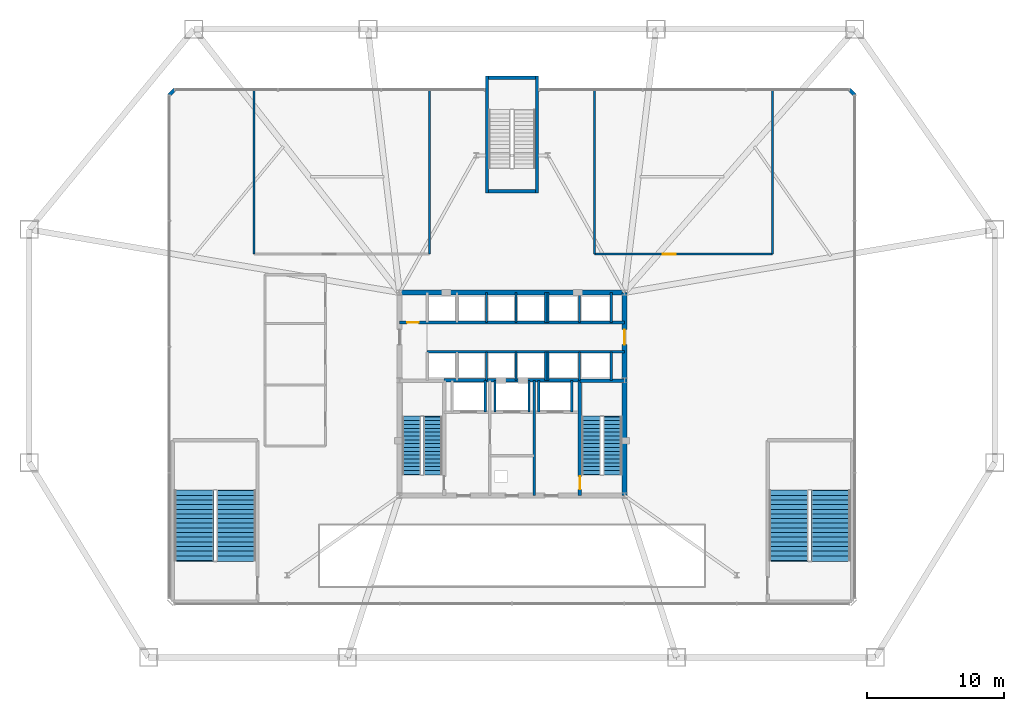
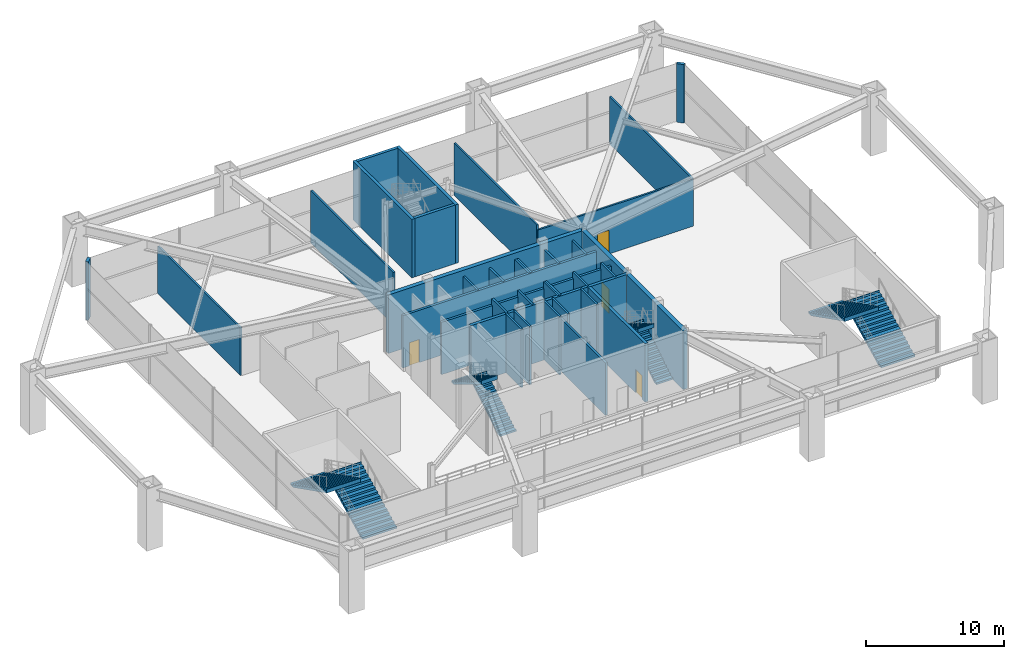
# One storey, part 15 of 18: 36 walls, 8 stair flights, 4 doors, 4 openings, 4 elements without a shape of their own.
"""IFC4 building model written with IfcOpenShell, lengths in metres."""

from ifc_helpers import new_model, si_unit, direction, frame, frame_2d, origin, place, context, subcontext, project, spatial, polyline, rectangle, outline, extrude, material, layer, layer_set, type_object, element, fill, aggregate, save


model = new_model("IFC4")

# Units and contexts
model_context = context("Model", 3, precision=1e-05, world=origin(), true_north=direction((0.0, 1.0)))
body_context = subcontext(model_context, "Body", "Model", "MODEL_VIEW")
ifc_project = project(units=[si_unit("LENGTHUNIT", "METRE"), si_unit("AREAUNIT", "SQUARE_METRE"), si_unit("VOLUMEUNIT", "CUBIC_METRE"), si_unit("PLANEANGLEUNIT", "RADIAN"), si_unit("MASSUNIT", "GRAM", prefix="KILO")], contexts=[model_context])

# Site, building, storey
site_placement = place(None, origin())
site = spatial("IfcSite", under=ifc_project, at=site_placement, CompositionType="ELEMENT")
building_placement = place(site_placement, origin())
building = spatial("IfcBuilding", under=site, at=building_placement, Name="Varakhsha Concourse Tower", CompositionType="ELEMENT")
storey_placement = place(building_placement, frame((0.0, 0.0, 5.5)))
storey = spatial("IfcBuildingStorey", under=building, at=storey_placement, Name="L02", CompositionType="ELEMENT", Elevation=5.5)

# Wall
ifc_material_1 = material(Name="Concrete fc 65 MPa", Category="concrete")
ifc_layer_1 = layer(ifc_material_1, 0.35009765625, Name="WL-CORE-350")
ifc_layer_set_1 = layer_set([ifc_layer_1], Name="Concrete fc 65 MPa")
wall_type_1 = type_object("IfcWallType", Name="WL-CORE-350", PredefinedType="SHEAR", material=ifc_layer_set_1)
wall_1_placement = place(storey_placement, frame((31.800048828125, 31.199951171875, 0.0), z_axis=(0.0, 0.0, 1.0), x_axis=(1.0, 0.0, 0.0)))
element("IfcWall", 1, at=wall_1_placement, inside=storey, type_object=wall_type_1, Name="L02 Wall CWALL-N-L02", PredefinedType="SHEAR", context=body_context, shape_type="SweptSolid", body=[
    extrude(rectangle(XDim=16.39990234375, YDim=0.35009765625, at=frame_2d((8.199951171875, 0.0))), origin(), (0.0, 0.0, 1.0), 5.179931640625),
])

# Wall, opening, door
wall_2_placement = place(storey_placement, frame((48.199951171875, 16.39990234375, 0.0), z_axis=(0.0, 0.0, 1.0), x_axis=(0.0, 1.0, 0.0)))
wall_2 = element("IfcWall", 2, at=wall_2_placement, inside=storey, type_object=wall_type_1, Name="L02 Wall CWALL-E-L02", PredefinedType="SHEAR", context=body_context, shape_type="SweptSolid", body=[
    extrude(rectangle(XDim=14.800048828125, YDim=0.35009765625, at=frame_2d((7.39990234375, 0.0))), origin(), (0.0, 0.0, 1.0), 5.179931640625),
])
opening_1_placement = place(wall_2_placement, frame((11.0, 0.0, 0.0)))
opening_1 = element("IfcOpeningElement", 3, at=opening_1_placement, cuts=wall_2, Name="Opening DL-01", PredefinedType="OPENING", context=body_context, shape_type="SweptSolid", body=[
    extrude(rectangle(XDim=1.10009765625, YDim=2.14990234375, at=frame_2d((0.550048828125, 1.074951171875))), frame((0.0, 0.18505859375, 0.0), z_axis=(0.0, -1.0, 0.0), x_axis=(1.0, 0.0, 0.0)), (0.0, 0.0, 1.0), 0.3701171875),
])
ifc_material_2 = material(Name="Anodised Bronze Architectural Aluminium AA 6063-T6", Category="aluminium")
door_type_1 = type_object("IfcDoorType", Name="DR-LOB-1100", OperationType="NOTDEFINED", PredefinedType="DOOR", material=ifc_material_2)
door_1_placement = place(opening_1_placement, origin())
door_1 = element("IfcDoor", 4, at=door_1_placement, inside=storey, type_object=door_type_1, Name="L02 Lift Lobby East Concourse Door", OperationType="SINGLE_SWING_RIGHT", OverallHeight=2.14990234375, OverallWidth=1.10009765625, PredefinedType="DOOR", context=body_context, shape_type="SweptSolid", body=[
    extrude(rectangle(XDim=1.10009765625, YDim=2.14990234375, at=frame_2d((0.550048828125, 1.074951171875))), frame((0.0, 0.02490234375, 0.0), z_axis=(0.0, -1.0, 0.0), x_axis=(1.0, 0.0, 0.0)), (0.0, 0.0, 1.0), 0.050048828125),
])
fill(opening_1, door_1)

# Walls
ifc_material_3 = material(Name="Concrete fc 45 MPa", Category="concrete")
ifc_layer_2 = layer(ifc_material_3, 0.300048828125, Name="WL-EXT-POD-300")
ifc_layer_set_2 = layer_set([ifc_layer_2], Name="Concrete fc 45 MPa")
wall_type_2 = type_object("IfcWallType", Name="WL-EXT-POD-300", PredefinedType="STANDARD", material=ifc_layer_set_2)
for number, where, z_axis, x_axis, name in (
    (5, (65.0, 45.60009765625, 0.0), (0.0, 0.0, 1.0), (-0.707106781187, 0.707106781187, 0.0), "L02 Mezzanine Corner Pier 4"),
    (6, (15.39990234375, 46.0, 0.0), (0.0, 0.0, 1.0), (-0.707106781187, -0.707106781187, 0.0), "L02 Mezzanine Corner Pier 6"),
):
    element("IfcWall", number, at=place(storey_placement, frame(where, z_axis=z_axis, x_axis=x_axis)), inside=storey, type_object=wall_type_2, Name=name, PredefinedType="STANDARD", context=body_context, shape_type="SweptSolid", body=[
        extrude(rectangle(XDim=0.5654296875, YDim=0.239990234375, at=frame_2d((0.28271484375, 0.0))), origin(), (0.0, 0.0, 1.0), 5.179931640625),
    ])
ifc_material_4 = material(Name="Fire-Rated Type X Gypsum Partition Assembly", Category="gypsum")
ifc_layer_3 = layer(ifc_material_4, 0.179931640625, Name="WL-FFLOB-180")
ifc_layer_set_3 = layer_set([ifc_layer_3], Name="Fire-Rated Type X Gypsum Partition Assembly")
wall_type_3 = type_object("IfcWallType", Name="WL-FFLOB-180", PredefinedType="PARTITIONING", material=ifc_layer_set_3)
wall_3_placement = place(storey_placement, frame((41.610107421875, 16.39990234375, 0.0), z_axis=(0.0, 0.0, 1.0), x_axis=(0.0, 1.0, 0.0)))
element("IfcWall", 7, at=wall_3_placement, inside=storey, type_object=wall_type_3, Name="L02 Wall FFW-2W-L02", PredefinedType="PARTITIONING", context=body_context, shape_type="SweptSolid", body=[
    extrude(rectangle(XDim=8.400146484375, YDim=0.179931640625, at=frame_2d((4.2001953125, 0.0))), origin(), (0.0, 0.0, 1.0), 4.631103515625),
])
ifc_layer_4 = layer(ifc_material_4, 0.14990234375, Name="WL-PART-150")
ifc_layer_set_4 = layer_set([ifc_layer_4], Name="Fire-Rated Type X Gypsum Partition Assembly")
wall_type_4 = type_object("IfcWallType", Name="WL-PART-150", PredefinedType="PARTITIONING", material=ifc_layer_set_4)
wall_4_placement = place(storey_placement, frame((21.199951171875, 34.0, 0.0), z_axis=(0.0, 0.0, 1.0), x_axis=(0.0, 1.0, 0.0)))
element("IfcWall", 8, at=wall_4_placement, inside=storey, type_object=wall_type_4, Name="L02 Wall L02W-M1W", PredefinedType="PARTITIONING", context=body_context, shape_type="SweptSolid", body=[
    extrude(rectangle(XDim=11.9599609375, YDim=0.14990234375, at=frame_2d((5.97998046875, 0.0))), origin(), (0.0, 0.0, 1.0), 4.195068359375),
])
wall_5_placement = place(storey_placement, frame((34.0, 34.0, 0.0), z_axis=(0.0, 0.0, 1.0), x_axis=(0.0, 1.0, 0.0)))
element("IfcWall", 9, at=wall_5_placement, inside=storey, type_object=wall_type_4, Name="L02 Wall L02W-M1E", PredefinedType="PARTITIONING", context=body_context, shape_type="SweptSolid", body=[
    extrude(rectangle(XDim=11.9599609375, YDim=0.14990234375, at=frame_2d((5.97998046875, 0.0))), origin(), (0.0, 0.0, 1.0), 4.631103515625),
])

# Wall, opening, door
wall_6_placement = place(storey_placement, frame((46.0, 34.0, 0.0), z_axis=(0.0, 0.0, 1.0), x_axis=(1.0, 0.0, 0.0)))
wall_6 = element("IfcWall", 10, at=wall_6_placement, inside=storey, type_object=wall_type_4, Name="L02 Wall L02W-M2S", PredefinedType="PARTITIONING", context=body_context, shape_type="SweptSolid", body=[
    extrude(rectangle(XDim=13.0, YDim=0.14990234375, at=frame_2d((6.5, 0.0))), origin(), (0.0, 0.0, 1.0), 4.195068359375),
])
opening_2_placement = place(wall_6_placement, frame((5.0, 0.0, 0.0)))
opening_2 = element("IfcOpeningElement", 11, at=opening_2_placement, cuts=wall_6, Name="Opening DF-05", PredefinedType="OPENING", context=body_context, shape_type="SweptSolid", body=[
    extrude(rectangle(XDim=0.949951171875, YDim=2.10009765625, at=frame_2d((0.47509765625, 1.050048828125))), frame((0.0, 0.0849609375, 0.0), z_axis=(0.0, -1.0, 0.0), x_axis=(1.0, 0.0, 0.0)), (0.0, 0.0, 1.0), 0.169921875),
])
ifc_material_5 = material(Name="Hollow Galvanised Steel Fire Door Assembly", Category="steel")
door_type_2 = type_object("IfcDoorType", Name="DR-FD60-950", OperationType="NOTDEFINED", PredefinedType="DOOR", material=ifc_material_5)
door_2_placement = place(opening_2_placement, origin())
door_2 = element("IfcDoor", 12, at=door_2_placement, inside=storey, type_object=door_type_2, Name="L02 Front Range Press Briefing Room Door", OperationType="SINGLE_SWING_LEFT", OverallHeight=2.10009765625, OverallWidth=0.949951171875, PredefinedType="DOOR", context=body_context, shape_type="SweptSolid", body=[
    extrude(rectangle(XDim=0.949951171875, YDim=2.10009765625, at=frame_2d((0.47509765625, 1.050048828125))), frame((0.0, 0.02490234375, 0.0), z_axis=(0.0, -1.0, 0.0), x_axis=(1.0, 0.0, 0.0)), (0.0, 0.0, 1.0), 0.050048828125),
])
fill(opening_2, door_2)

# Walls
wall_7_placement = place(storey_placement, frame((46.0, 34.0, 0.0), z_axis=(0.0, 0.0, 1.0), x_axis=(0.0, 1.0, 0.0)))
element("IfcWall", 13, at=wall_7_placement, inside=storey, type_object=wall_type_4, Name="L02 Wall L02W-M2W", PredefinedType="PARTITIONING", context=body_context, shape_type="SweptSolid", body=[
    extrude(rectangle(XDim=11.9599609375, YDim=0.14990234375, at=frame_2d((5.97998046875, 0.0))), origin(), (0.0, 0.0, 1.0), 4.631103515625),
])
wall_8_placement = place(storey_placement, frame((59.0, 34.0, 0.0), z_axis=(0.0, 0.0, 1.0), x_axis=(0.0, 1.0, 0.0)))
element("IfcWall", 14, at=wall_8_placement, inside=storey, type_object=wall_type_4, Name="L02 Wall L02W-M2E", PredefinedType="PARTITIONING", context=body_context, shape_type="SweptSolid", body=[
    extrude(rectangle(XDim=11.9599609375, YDim=0.14990234375, at=frame_2d((5.97998046875, 0.0))), origin(), (0.0, 0.0, 1.0), 4.195068359375),
])
ifc_layer_5 = layer(ifc_material_4, 0.199951171875, Name="WL-SHAFT-220")
ifc_layer_set_5 = layer_set([ifc_layer_5], Name="Fire-Rated Type X Gypsum Partition Assembly")
wall_type_5 = type_object("IfcWallType", Name="WL-SHAFT-220", PredefinedType="SOLIDWALL", material=ifc_layer_set_5)
for number, where, z_axis, x_axis, name in (
    (15, (38.050048828125, 22.47998046875, 0.0), (0.0, 0.0, 1.0), (0.0, 1.0, 0.0), "L02 Wall SHW-FFL-1-E-L02"),
    (16, (41.949951171875, 22.47998046875, 0.0), (0.0, 0.0, 1.0), (0.0, 1.0, 0.0), "L02 Wall SHW-FFL-2-W-L02"),
    (17, (44.35009765625, 22.47998046875, 0.0), (0.0, 0.0, 1.0), (0.0, 1.0, 0.0), "L02 Wall SHW-FFL-2-E-L02"),
    (18, (38.75, 22.47998046875, 0.0), (0.0, 0.0, 1.0), (0.0, 1.0, 0.0), "L02 Wall SHW-SVL-1-W-L02"),
    (19, (41.25, 22.47998046875, 0.0), (0.0, 0.0, 1.0), (0.0, 1.0, 0.0), "L02 Wall SHW-SVL-1-E-L02"),
):
    element("IfcWall", number, at=place(storey_placement, frame(where, z_axis=z_axis, x_axis=x_axis)), inside=storey, type_object=wall_type_5, Name=name, PredefinedType="SOLIDWALL", context=body_context, shape_type="SweptSolid", body=[
        extrude(rectangle(XDim=2.320068359375, YDim=0.159912109375, at=frame_2d((1.16015625, 0.0))), origin(), (0.0, 0.0, 1.0), 5.179931640625),
    ])

# Wall, opening, door
wall_9_placement = place(storey_placement, frame((31.800048828125, 29.02001953125, 0.0), z_axis=(0.0, 0.0, 1.0), x_axis=(1.0, 0.0, 0.0)))
wall_9 = element("IfcWall", 20, at=wall_9_placement, inside=storey, type_object=wall_type_5, Name="L02 Wall PLW-N-L02", PredefinedType="SOLIDWALL", context=body_context, shape_type="SweptSolid", body=[
    extrude(rectangle(XDim=16.39990234375, YDim=0.199951171875, at=frame_2d((8.199951171875, 0.0))), origin(), (0.0, 0.0, 1.0), 4.631103515625),
])
opening_3_placement = place(wall_9_placement, frame((0.550048828125, 0.0, 0.0)))
opening_3 = element("IfcOpeningElement", 21, at=opening_3_placement, cuts=wall_9, Name="Opening DF-07", PredefinedType="OPENING", context=body_context, shape_type="SweptSolid", body=[
    extrude(rectangle(XDim=0.85009765625, YDim=2.050048828125, at=frame_2d((0.425048828125, 1.02490234375))), frame((0.0, 0.10986328125, 0.0), z_axis=(0.0, -1.0, 0.0), x_axis=(1.0, 0.0, 0.0)), (0.0, 0.0, 1.0), 0.219970703125),
])
door_type_3 = type_object("IfcDoorType", Name="DR-FD60-850", OperationType="NOTDEFINED", PredefinedType="DOOR", material=ifc_material_5)
door_3_placement = place(opening_3_placement, origin())
door_3 = element("IfcDoor", 22, at=door_3_placement, inside=storey, type_object=door_type_3, Name="L02 Core Janitor Closet Door", OperationType="SINGLE_SWING_LEFT", OverallHeight=2.050048828125, OverallWidth=0.85009765625, PredefinedType="DOOR", context=body_context, shape_type="SweptSolid", body=[
    extrude(rectangle(XDim=0.85009765625, YDim=2.050048828125, at=frame_2d((0.425048828125, 1.02490234375))), frame((0.0, 0.02490234375, 0.0), z_axis=(0.0, -1.0, 0.0), x_axis=(1.0, 0.0, 0.0)), (0.0, 0.0, 1.0), 0.050048828125),
])
fill(opening_3, door_3)

# Walls
wall_10_placement = place(storey_placement, frame((33.820068359375, 26.8798828125, 0.0), z_axis=(0.0, 0.0, 1.0), x_axis=(1.0, 0.0, 0.0)))
element("IfcWall", 23, at=wall_10_placement, inside=storey, type_object=wall_type_5, Name="L02 Wall PLW-S-L02", PredefinedType="SOLIDWALL", context=body_context, shape_type="SweptSolid", body=[
    extrude(rectangle(XDim=14.3798828125, YDim=0.199951171875, at=frame_2d((7.18994140625, 0.0))), origin(), (0.0, 0.0, 1.0), 4.631103515625),
])
for number, where, z_axis, x_axis, name in (
    (24, (38.139892578125, 29.02001953125, 0.0), (0.0, 0.0, 1.0), (0.0, 1.0, 0.0), "L02 Wall SHW-LF-P02-E-L02"),
    (25, (40.300048828125, 29.02001953125, 0.0), (0.0, 0.0, 1.0), (0.0, 1.0, 0.0), "L02 Wall SHW-LF-P03-E-L02"),
    (26, (42.4599609375, 29.02001953125, 0.0), (0.0, 0.0, 1.0), (0.0, 1.0, 0.0), "L02 Wall SHW-LF-P04-E-L02"),
):
    element("IfcWall", number, at=place(storey_placement, frame(where, z_axis=z_axis, x_axis=x_axis)), inside=storey, type_object=wall_type_5, Name=name, PredefinedType="SOLIDWALL", context=body_context, shape_type="SweptSolid", body=[
        extrude(rectangle(XDim=2.179931640625, YDim=0.159912109375, at=frame_2d((1.08984375, 0.0))), origin(), (0.0, 0.0, 1.0), 4.631103515625),
    ])
for number, where, z_axis, x_axis, name in (
    (27, (38.139892578125, 24.800048828125, 0.0), (0.0, 0.0, 1.0), (0.0, 1.0, 0.0), "L02 Wall SHW-LF-P06-E-L02"),
    (28, (40.300048828125, 24.800048828125, 0.0), (0.0, 0.0, 1.0), (0.0, 1.0, 0.0), "L02 Wall SHW-LF-P07-E-L02"),
    (29, (42.4599609375, 24.800048828125, 0.0), (0.0, 0.0, 1.0), (0.0, 1.0, 0.0), "L02 Wall SHW-LF-P08-E-L02"),
):
    element("IfcWall", number, at=place(storey_placement, frame(where, z_axis=z_axis, x_axis=x_axis)), inside=storey, type_object=wall_type_5, Name=name, PredefinedType="SOLIDWALL", context=body_context, shape_type="SweptSolid", body=[
        extrude(rectangle(XDim=2.079833984375, YDim=0.159912109375, at=frame_2d((1.0400390625, 0.0))), origin(), (0.0, 0.0, 1.0), 5.179931640625),
    ])
for number, where, z_axis, x_axis, name in (
    (30, (42.60009765625, 29.02001953125, 0.0), (0.0, 0.0, 1.0), (0.0, 1.0, 0.0), "L02 Wall SHW-LF-P09-W-L02"),
    (31, (44.919921875, 29.02001953125, 0.0), (0.0, 0.0, 1.0), (0.0, 1.0, 0.0), "L02 Wall SHW-LF-P09-E-L02"),
    (32, (47.239990234375, 29.02001953125, 0.0), (0.0, 0.0, 1.0), (0.0, 1.0, 0.0), "L02 Wall SHW-LF-P10-E-L02"),
):
    element("IfcWall", number, at=place(storey_placement, frame(where, z_axis=z_axis, x_axis=x_axis)), inside=storey, type_object=wall_type_5, Name=name, PredefinedType="SOLIDWALL", context=body_context, shape_type="SweptSolid", body=[
        extrude(rectangle(XDim=2.179931640625, YDim=0.159912109375, at=frame_2d((1.08984375, 0.0))), origin(), (0.0, 0.0, 1.0), 4.631103515625),
    ])
for number, where, z_axis, x_axis, name in (
    (33, (42.60009765625, 24.800048828125, 0.0), (0.0, 0.0, 1.0), (0.0, 1.0, 0.0), "L02 Wall SHW-LF-P11-W-L02"),
    (34, (44.919921875, 24.800048828125, 0.0), (0.0, 0.0, 1.0), (0.0, 1.0, 0.0), "L02 Wall SHW-LF-P11-E-L02"),
    (35, (47.239990234375, 24.800048828125, 0.0), (0.0, 0.0, 1.0), (0.0, 1.0, 0.0), "L02 Wall SHW-LF-P12-E-L02"),
):
    element("IfcWall", number, at=place(storey_placement, frame(where, z_axis=z_axis, x_axis=x_axis)), inside=storey, type_object=wall_type_5, Name=name, PredefinedType="SOLIDWALL", context=body_context, shape_type="SweptSolid", body=[
        extrude(rectangle(XDim=2.079833984375, YDim=0.159912109375, at=frame_2d((1.0400390625, 0.0))), origin(), (0.0, 0.0, 1.0), 5.179931640625),
    ])

# Wall, opening, door
ifc_layer_6 = layer(ifc_material_3, 0.25, Name="WL-STAIR-250")
ifc_layer_set_6 = layer_set([ifc_layer_6], Name="Concrete fc 45 MPa")
wall_type_6 = type_object("IfcWallType", Name="WL-STAIR-250", PredefinedType="SHEAR", material=ifc_layer_set_6)
wall_11_placement = place(storey_placement, frame((44.955078125, 16.39990234375, 0.0), z_axis=(0.0, 0.0, 1.0), x_axis=(0.0, 1.0, 0.0)))
wall_11 = element("IfcWall", 36, at=wall_11_placement, inside=storey, type_object=wall_type_6, Name="L02 Wall SWALL-ST2-W-L02", PredefinedType="SHEAR", context=body_context, shape_type="SweptSolid", body=[
    extrude(rectangle(XDim=8.400146484375, YDim=0.25, at=frame_2d((4.2001953125, 0.0))), origin(), (0.0, 0.0, 1.0), 5.179931640625),
])
opening_4_placement = place(wall_11_placement, frame((0.449951171875, 0.0, 0.0)))
opening_4 = element("IfcOpeningElement", 37, at=opening_4_placement, cuts=wall_11, Name="Opening DF-03", PredefinedType="OPENING", context=body_context, shape_type="SweptSolid", body=[
    extrude(rectangle(XDim=0.949951171875, YDim=2.10009765625, at=frame_2d((0.47509765625, 1.050048828125))), frame((0.0, 0.135009765625, 0.0), z_axis=(0.0, -1.0, 0.0), x_axis=(1.0, 0.0, 0.0)), (0.0, 0.0, 1.0), 0.27001953125),
])
door_type_4 = type_object("IfcDoorType", Name="DR-FD90-950", OperationType="NOTDEFINED", PredefinedType="DOOR", material=ifc_material_5)
door_4_placement = place(opening_4_placement, origin())
door_4 = element("IfcDoor", 38, at=door_4_placement, inside=storey, type_object=door_type_4, Name="L02 Stair ST2 Fire Door", OperationType="SINGLE_SWING_RIGHT", OverallHeight=2.10009765625, OverallWidth=0.949951171875, PredefinedType="DOOR", context=body_context, shape_type="SweptSolid", body=[
    extrude(rectangle(XDim=0.949951171875, YDim=2.10009765625, at=frame_2d((0.47509765625, 1.050048828125))), frame((0.0, 0.02490234375, 0.0), z_axis=(0.0, -1.0, 0.0), x_axis=(1.0, 0.0, 0.0)), (0.0, 0.0, 1.0), 0.050048828125),
])
fill(opening_4, door_4)

# Walls
wall_12_placement = place(storey_placement, frame((44.955078125, 24.7548828125, 0.0), z_axis=(0.0, 0.0, 1.0), x_axis=(1.0, 0.0, 0.0)))
element("IfcWall", 39, at=wall_12_placement, inside=storey, type_object=wall_type_6, Name="L02 Wall SWALL-ST2-N-L02", PredefinedType="SHEAR", context=body_context, shape_type="SweptSolid", body=[
    extrude(rectangle(XDim=3.244873046875, YDim=0.25, at=frame_2d((1.62255859375, 0.0))), origin(), (0.0, 0.0, 1.0), 5.179931640625),
])
wall_13_placement = place(storey_placement, frame((35.044921875, 24.800048828125, 0.0), z_axis=(0.0, 0.0, 1.0), x_axis=(1.0, 0.0, 0.0)))
element("IfcWall", 40, at=wall_13_placement, inside=storey, type_object=wall_type_6, Name="L02 Wall SWALL-MID-H-L02", PredefinedType="SHEAR", context=body_context, shape_type="SweptSolid", body=[
    extrude(rectangle(XDim=9.91015625, YDim=0.25, at=frame_2d((4.955078125, 0.0))), origin(), (0.0, 0.0, 1.0), 5.179931640625),
])
for number, where, z_axis, x_axis, name in (
    (41, (38.175048828125, 38.449951171875, 0.0), (0.0, 0.0, 1.0), (0.0, 1.0, 0.0), "L02 Wall SWALL-ST5-W-L02"),
    (42, (41.824951171875, 38.449951171875, 0.0), (0.0, 0.0, 1.0), (0.0, 1.0, 0.0), "L02 Wall SWALL-ST5-E-L02"),
):
    element("IfcWall", number, at=place(storey_placement, frame(where, z_axis=z_axis, x_axis=x_axis)), inside=storey, type_object=wall_type_6, Name=name, PredefinedType="SHEAR", context=body_context, shape_type="SweptSolid", body=[
        extrude(rectangle(XDim=8.550048828125, YDim=0.25, at=frame_2d((4.27490234375, 0.0))), origin(), (0.0, 0.0, 1.0), 5.179931640625),
    ])
for number, where, z_axis, x_axis, name in (
    (43, (38.300048828125, 38.574951171875, 0.0), (0.0, 0.0, 1.0), (1.0, 0.0, 0.0), "L02 Wall SWALL-ST5-S-L02"),
    (44, (38.300048828125, 46.875, 0.0), (0.0, 0.0, 1.0), (1.0, 0.0, 0.0), "L02 Wall SWALL-ST5-N-L02"),
):
    element("IfcWall", number, at=place(storey_placement, frame(where, z_axis=z_axis, x_axis=x_axis)), inside=storey, type_object=wall_type_6, Name=name, PredefinedType="SHEAR", context=body_context, shape_type="SweptSolid", body=[
        extrude(rectangle(XDim=3.39990234375, YDim=0.25, at=frame_2d((1.699951171875, 0.0))), origin(), (0.0, 0.0, 1.0), 5.179931640625),
    ])

# Stair, stair flights
stair_type_1 = type_object("IfcStairType", Name="ST-DOGLEG-1360", PredefinedType="HALF_TURN_STAIR", material=ifc_material_3)
stair_1_placement = place(storey_placement, origin())
stair_1 = element("IfcStair", 45, at=stair_1_placement, inside=storey, type_object=stair_type_1, Name="L02 Protected Exit Stair ST1", PredefinedType="HALF_TURN_STAIR")
stair_flight_type_1 = type_object("IfcStairFlightType", Name="STF-1360-R1719", PredefinedType="STRAIGHT", material=ifc_material_3)
stair_flight_1_placement = place(storey_placement, frame((34.239990234375, 17.93994140625, 0.0), z_axis=(0.0, 0.0, 1.0), x_axis=(0.0, 1.0, 0.0)))
stair_flight_1 = element("IfcStairFlight", 46, at=stair_flight_1_placement, type_object=stair_flight_type_1, Name="ST1 flight 1", NumberOfRisers=16, NumberOfTreads=15, PredefinedType="STRAIGHT", RiserHeight=0.171875, TreadLength=0.28, context=body_context, shape_type="SweptSolid", body=[
    extrude(outline(polyline([(-0.06005859375, 0.0), (-0.06005859375, 0.171875), (0.0, 0.171875), (0.280029296875, 0.171875), (0.280029296875, 0.34375), (0.56005859375, 0.34375), (0.56005859375, 0.515625), (0.840087890625, 0.515625), (0.840087890625, 0.6875), (1.1201171875, 0.6875), (1.1201171875, 0.859375), (1.39990234375, 0.859375), (1.39990234375, 1.03125), (1.679931640625, 1.03125), (1.679931640625, 1.203125), (1.9599609375, 1.203125), (1.9599609375, 1.375), (2.239990234375, 1.375), (2.239990234375, 1.546875), (2.52001953125, 1.546875), (2.52001953125, 1.71875), (2.800048828125, 1.71875), (2.800048828125, 1.890625), (3.080078125, 1.890625), (3.080078125, 2.0625), (3.360107421875, 2.0625), (3.360107421875, 2.234375), (3.639892578125, 2.234375), (3.639892578125, 2.40625), (3.919921875, 2.40625), (3.919921875, 2.578125), (4.199951171875, 2.578125), (4.199951171875, 2.75), (4.260009765625, 2.75), (4.260009765625, 2.40234375), (4.199951171875, 2.40234375), (0.28662109375, 0.0), (-0.06005859375, 0.0)])), frame((0.0, 0.68017578125, 0.0), z_axis=(0.0, -1.0, 0.0), x_axis=(1.0, 0.0, 0.0)), (0.0, 0.0, 1.0), 1.360107421875),
])
stair_flight_2_placement = place(storey_placement, frame((32.679931640625, 22.139892578125, 2.75), z_axis=(0.0, 0.0, 1.0), x_axis=(0.0, -1.0, 0.0)))
stair_flight_2 = element("IfcStairFlight", 47, at=stair_flight_2_placement, type_object=stair_flight_type_1, Name="ST1 flight 2", NumberOfRisers=16, NumberOfTreads=15, PredefinedType="STRAIGHT", RiserHeight=0.171875, TreadLength=0.28, context=body_context, shape_type="SweptSolid", body=[
    extrude(outline(polyline([(-0.06005859375, 0.0), (-0.06005859375, 0.171875), (0.0, 0.171875), (0.280029296875, 0.171875), (0.280029296875, 0.34375), (0.56005859375, 0.34375), (0.56005859375, 0.515625), (0.840087890625, 0.515625), (0.840087890625, 0.6875), (1.1201171875, 0.6875), (1.1201171875, 0.859375), (1.39990234375, 0.859375), (1.39990234375, 1.03125), (1.679931640625, 1.03125), (1.679931640625, 1.203125), (1.9599609375, 1.203125), (1.9599609375, 1.375), (2.239990234375, 1.375), (2.239990234375, 1.546875), (2.52001953125, 1.546875), (2.52001953125, 1.71875), (2.800048828125, 1.71875), (2.800048828125, 1.890625), (3.080078125, 1.890625), (3.080078125, 2.0625), (3.360107421875, 2.0625), (3.360107421875, 2.234375), (3.639892578125, 2.234375), (3.639892578125, 2.40625), (3.919921875, 2.40625), (3.919921875, 2.578125), (4.199951171875, 2.578125), (4.199951171875, 2.75), (4.260009765625, 2.75), (4.260009765625, 2.40234375), (4.199951171875, 2.40234375), (0.28662109375, 0.0), (-0.06005859375, 0.0)])), frame((0.0, 0.68017578125, 0.0), z_axis=(0.0, -1.0, 0.0), x_axis=(1.0, 0.0, 0.0)), (0.0, 0.0, 1.0), 1.360107421875),
])
aggregate(stair_1, [stair_flight_1, stair_flight_2])

stair_2_placement = place(storey_placement, origin())
stair_2 = element("IfcStair", 48, at=stair_2_placement, inside=storey, type_object=stair_type_1, Name="L02 Protected Exit Stair ST2", PredefinedType="HALF_TURN_STAIR")
stair_flight_3_placement = place(storey_placement, frame((47.340087890625, 17.93994140625, 0.0), z_axis=(0.0, 0.0, 1.0), x_axis=(0.0, 1.0, 0.0)))
stair_flight_3 = element("IfcStairFlight", 49, at=stair_flight_3_placement, type_object=stair_flight_type_1, Name="ST2 flight 1", NumberOfRisers=16, NumberOfTreads=15, PredefinedType="STRAIGHT", RiserHeight=0.171875, TreadLength=0.28, context=body_context, shape_type="SweptSolid", body=[
    extrude(outline(polyline([(-0.06005859375, 0.0), (-0.06005859375, 0.171875), (0.0, 0.171875), (0.280029296875, 0.171875), (0.280029296875, 0.34375), (0.56005859375, 0.34375), (0.56005859375, 0.515625), (0.840087890625, 0.515625), (0.840087890625, 0.6875), (1.1201171875, 0.6875), (1.1201171875, 0.859375), (1.39990234375, 0.859375), (1.39990234375, 1.03125), (1.679931640625, 1.03125), (1.679931640625, 1.203125), (1.9599609375, 1.203125), (1.9599609375, 1.375), (2.239990234375, 1.375), (2.239990234375, 1.546875), (2.52001953125, 1.546875), (2.52001953125, 1.71875), (2.800048828125, 1.71875), (2.800048828125, 1.890625), (3.080078125, 1.890625), (3.080078125, 2.0625), (3.360107421875, 2.0625), (3.360107421875, 2.234375), (3.639892578125, 2.234375), (3.639892578125, 2.40625), (3.919921875, 2.40625), (3.919921875, 2.578125), (4.199951171875, 2.578125), (4.199951171875, 2.75), (4.260009765625, 2.75), (4.260009765625, 2.40234375), (4.199951171875, 2.40234375), (0.28662109375, 0.0), (-0.06005859375, 0.0)])), frame((0.0, 0.68017578125, 0.0), z_axis=(0.0, -1.0, 0.0), x_axis=(1.0, 0.0, 0.0)), (0.0, 0.0, 1.0), 1.360107421875),
])
stair_flight_4_placement = place(storey_placement, frame((45.780029296875, 22.139892578125, 2.75), z_axis=(0.0, 0.0, 1.0), x_axis=(0.0, -1.0, 0.0)))
stair_flight_4 = element("IfcStairFlight", 50, at=stair_flight_4_placement, type_object=stair_flight_type_1, Name="ST2 flight 2", NumberOfRisers=16, NumberOfTreads=15, PredefinedType="STRAIGHT", RiserHeight=0.171875, TreadLength=0.28, context=body_context, shape_type="SweptSolid", body=[
    extrude(outline(polyline([(-0.06005859375, 0.0), (-0.06005859375, 0.171875), (0.0, 0.171875), (0.280029296875, 0.171875), (0.280029296875, 0.34375), (0.56005859375, 0.34375), (0.56005859375, 0.515625), (0.840087890625, 0.515625), (0.840087890625, 0.6875), (1.1201171875, 0.6875), (1.1201171875, 0.859375), (1.39990234375, 0.859375), (1.39990234375, 1.03125), (1.679931640625, 1.03125), (1.679931640625, 1.203125), (1.9599609375, 1.203125), (1.9599609375, 1.375), (2.239990234375, 1.375), (2.239990234375, 1.546875), (2.52001953125, 1.546875), (2.52001953125, 1.71875), (2.800048828125, 1.71875), (2.800048828125, 1.890625), (3.080078125, 1.890625), (3.080078125, 2.0625), (3.360107421875, 2.0625), (3.360107421875, 2.234375), (3.639892578125, 2.234375), (3.639892578125, 2.40625), (3.919921875, 2.40625), (3.919921875, 2.578125), (4.199951171875, 2.578125), (4.199951171875, 2.75), (4.260009765625, 2.75), (4.260009765625, 2.40234375), (4.199951171875, 2.40234375), (0.28662109375, 0.0), (-0.06005859375, 0.0)])), frame((0.0, 0.68017578125, 0.0), z_axis=(0.0, -1.0, 0.0), x_axis=(1.0, 0.0, 0.0)), (0.0, 0.0, 1.0), 1.360107421875),
])
aggregate(stair_2, [stair_flight_3, stair_flight_4])

stair_type_2 = type_object("IfcStairType", Name="ST-DOGLEG-2860", PredefinedType="HALF_TURN_STAIR", material=ifc_material_3)
stair_3_placement = place(storey_placement, origin())
stair_3 = element("IfcStair", 51, at=stair_3_placement, inside=storey, type_object=stair_type_2, Name="L02 Protected Exit Stair ST3", PredefinedType="HALF_TURN_STAIR")
stair_flight_type_2 = type_object("IfcStairFlightType", Name="STF-2860-R1719", PredefinedType="STRAIGHT", material=ifc_material_3)
stair_flight_5_placement = place(storey_placement, frame((19.889892578125, 11.659912109375, 0.0), z_axis=(0.0, 0.0, 1.0), x_axis=(0.0, 1.0, 0.0)))
stair_flight_5 = element("IfcStairFlight", 52, at=stair_flight_5_placement, type_object=stair_flight_type_2, Name="ST3 flight 1", NumberOfRisers=16, NumberOfTreads=15, PredefinedType="STRAIGHT", RiserHeight=0.171875, TreadLength=0.34, context=body_context, shape_type="SweptSolid", body=[
    extrude(outline(polyline([(-0.06005859375, 0.0), (-0.06005859375, 0.171875), (0.0, 0.171875), (0.340087890625, 0.171875), (0.340087890625, 0.34375), (0.679931640625, 0.34375), (0.679931640625, 0.515625), (1.02001953125, 0.515625), (1.02001953125, 0.6875), (1.360107421875, 0.6875), (1.360107421875, 0.859375), (1.699951171875, 0.859375), (1.699951171875, 1.03125), (2.0400390625, 1.03125), (2.0400390625, 1.203125), (2.3798828125, 1.203125), (2.3798828125, 1.375), (2.719970703125, 1.375), (2.719970703125, 1.546875), (3.06005859375, 1.546875), (3.06005859375, 1.71875), (3.39990234375, 1.71875), (3.39990234375, 1.890625), (3.739990234375, 1.890625), (3.739990234375, 2.0625), (4.080078125, 2.0625), (4.080078125, 2.234375), (4.419921875, 2.234375), (4.419921875, 2.40625), (4.760009765625, 2.40625), (4.760009765625, 2.578125), (5.10009765625, 2.578125), (5.10009765625, 2.75), (5.159912109375, 2.75), (5.159912109375, 2.41015625), (5.10009765625, 2.41015625), (0.332275390625, 0.0), (-0.06005859375, 0.0)])), frame((0.0, 1.43017578125, 0.0), z_axis=(0.0, -1.0, 0.0), x_axis=(1.0, 0.0, 0.0)), (0.0, 0.0, 1.0), 2.860107421875),
])
stair_flight_6_placement = place(storey_placement, frame((16.830078125, 16.760009765625, 2.75), z_axis=(0.0, 0.0, 1.0), x_axis=(0.0, -1.0, 0.0)))
stair_flight_6 = element("IfcStairFlight", 53, at=stair_flight_6_placement, type_object=stair_flight_type_2, Name="ST3 flight 2", NumberOfRisers=16, NumberOfTreads=15, PredefinedType="STRAIGHT", RiserHeight=0.171875, TreadLength=0.34, context=body_context, shape_type="SweptSolid", body=[
    extrude(outline(polyline([(-0.06005859375, 0.0), (-0.06005859375, 0.171875), (0.0, 0.171875), (0.340087890625, 0.171875), (0.340087890625, 0.34375), (0.679931640625, 0.34375), (0.679931640625, 0.515625), (1.02001953125, 0.515625), (1.02001953125, 0.6875), (1.360107421875, 0.6875), (1.360107421875, 0.859375), (1.699951171875, 0.859375), (1.699951171875, 1.03125), (2.0400390625, 1.03125), (2.0400390625, 1.203125), (2.3798828125, 1.203125), (2.3798828125, 1.375), (2.719970703125, 1.375), (2.719970703125, 1.546875), (3.06005859375, 1.546875), (3.06005859375, 1.71875), (3.39990234375, 1.71875), (3.39990234375, 1.890625), (3.739990234375, 1.890625), (3.739990234375, 2.0625), (4.080078125, 2.0625), (4.080078125, 2.234375), (4.419921875, 2.234375), (4.419921875, 2.40625), (4.760009765625, 2.40625), (4.760009765625, 2.578125), (5.10009765625, 2.578125), (5.10009765625, 2.75), (5.159912109375, 2.75), (5.159912109375, 2.41015625), (5.10009765625, 2.41015625), (0.332275390625, 0.0), (-0.06005859375, 0.0)])), frame((0.0, 1.43017578125, 0.0), z_axis=(0.0, -1.0, 0.0), x_axis=(1.0, 0.0, 0.0)), (0.0, 0.0, 1.0), 2.860107421875),
])
aggregate(stair_3, [stair_flight_5, stair_flight_6])

stair_4_placement = place(storey_placement, origin())
stair_4 = element("IfcStair", 54, at=stair_4_placement, inside=storey, type_object=stair_type_2, Name="L02 Protected Exit Stair ST4", PredefinedType="HALF_TURN_STAIR")
stair_flight_7_placement = place(storey_placement, frame((63.25, 11.659912109375, 0.0), z_axis=(0.0, 0.0, 1.0), x_axis=(0.0, 1.0, 0.0)))
stair_flight_7 = element("IfcStairFlight", 55, at=stair_flight_7_placement, type_object=stair_flight_type_2, Name="ST4 flight 1", NumberOfRisers=16, NumberOfTreads=15, PredefinedType="STRAIGHT", RiserHeight=0.171875, TreadLength=0.34, context=body_context, shape_type="SweptSolid", body=[
    extrude(outline(polyline([(-0.06005859375, 0.0), (-0.06005859375, 0.171875), (0.0, 0.171875), (0.340087890625, 0.171875), (0.340087890625, 0.34375), (0.679931640625, 0.34375), (0.679931640625, 0.515625), (1.02001953125, 0.515625), (1.02001953125, 0.6875), (1.360107421875, 0.6875), (1.360107421875, 0.859375), (1.699951171875, 0.859375), (1.699951171875, 1.03125), (2.0400390625, 1.03125), (2.0400390625, 1.203125), (2.3798828125, 1.203125), (2.3798828125, 1.375), (2.719970703125, 1.375), (2.719970703125, 1.546875), (3.06005859375, 1.546875), (3.06005859375, 1.71875), (3.39990234375, 1.71875), (3.39990234375, 1.890625), (3.739990234375, 1.890625), (3.739990234375, 2.0625), (4.080078125, 2.0625), (4.080078125, 2.234375), (4.419921875, 2.234375), (4.419921875, 2.40625), (4.760009765625, 2.40625), (4.760009765625, 2.578125), (5.10009765625, 2.578125), (5.10009765625, 2.75), (5.159912109375, 2.75), (5.159912109375, 2.41015625), (5.10009765625, 2.41015625), (0.332275390625, 0.0), (-0.06005859375, 0.0)])), frame((0.0, 1.43017578125, 0.0), z_axis=(0.0, -1.0, 0.0), x_axis=(1.0, 0.0, 0.0)), (0.0, 0.0, 1.0), 2.860107421875),
])
stair_flight_8_placement = place(storey_placement, frame((60.18994140625, 16.760009765625, 2.75), z_axis=(0.0, 0.0, 1.0), x_axis=(0.0, -1.0, 0.0)))
stair_flight_8 = element("IfcStairFlight", 56, at=stair_flight_8_placement, type_object=stair_flight_type_2, Name="ST4 flight 2", NumberOfRisers=16, NumberOfTreads=15, PredefinedType="STRAIGHT", RiserHeight=0.171875, TreadLength=0.34, context=body_context, shape_type="SweptSolid", body=[
    extrude(outline(polyline([(-0.06005859375, 0.0), (-0.06005859375, 0.171875), (0.0, 0.171875), (0.340087890625, 0.171875), (0.340087890625, 0.34375), (0.679931640625, 0.34375), (0.679931640625, 0.515625), (1.02001953125, 0.515625), (1.02001953125, 0.6875), (1.360107421875, 0.6875), (1.360107421875, 0.859375), (1.699951171875, 0.859375), (1.699951171875, 1.03125), (2.0400390625, 1.03125), (2.0400390625, 1.203125), (2.3798828125, 1.203125), (2.3798828125, 1.375), (2.719970703125, 1.375), (2.719970703125, 1.546875), (3.06005859375, 1.546875), (3.06005859375, 1.71875), (3.39990234375, 1.71875), (3.39990234375, 1.890625), (3.739990234375, 1.890625), (3.739990234375, 2.0625), (4.080078125, 2.0625), (4.080078125, 2.234375), (4.419921875, 2.234375), (4.419921875, 2.40625), (4.760009765625, 2.40625), (4.760009765625, 2.578125), (5.10009765625, 2.578125), (5.10009765625, 2.75), (5.159912109375, 2.75), (5.159912109375, 2.41015625), (5.10009765625, 2.41015625), (0.332275390625, 0.0), (-0.06005859375, 0.0)])), frame((0.0, 1.43017578125, 0.0), z_axis=(0.0, -1.0, 0.0), x_axis=(1.0, 0.0, 0.0)), (0.0, 0.0, 1.0), 2.860107421875),
])
aggregate(stair_4, [stair_flight_7, stair_flight_8])

save(model, "model.ifc")
